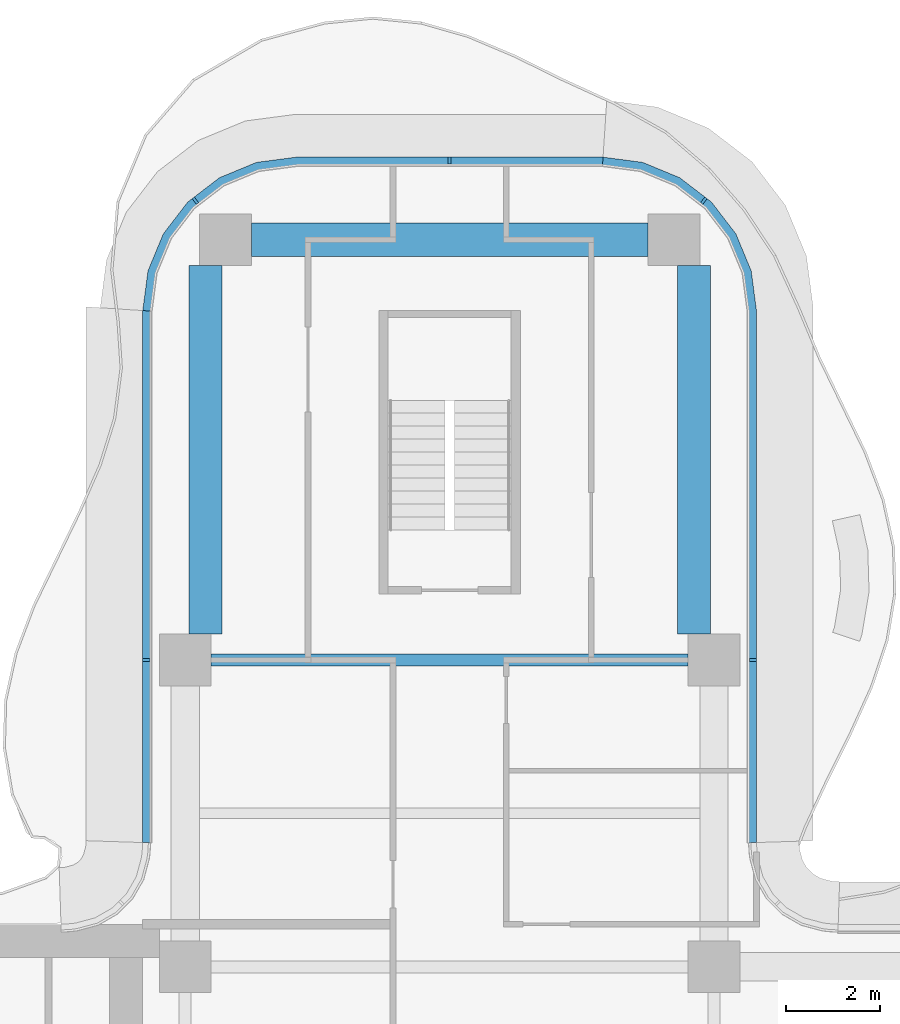
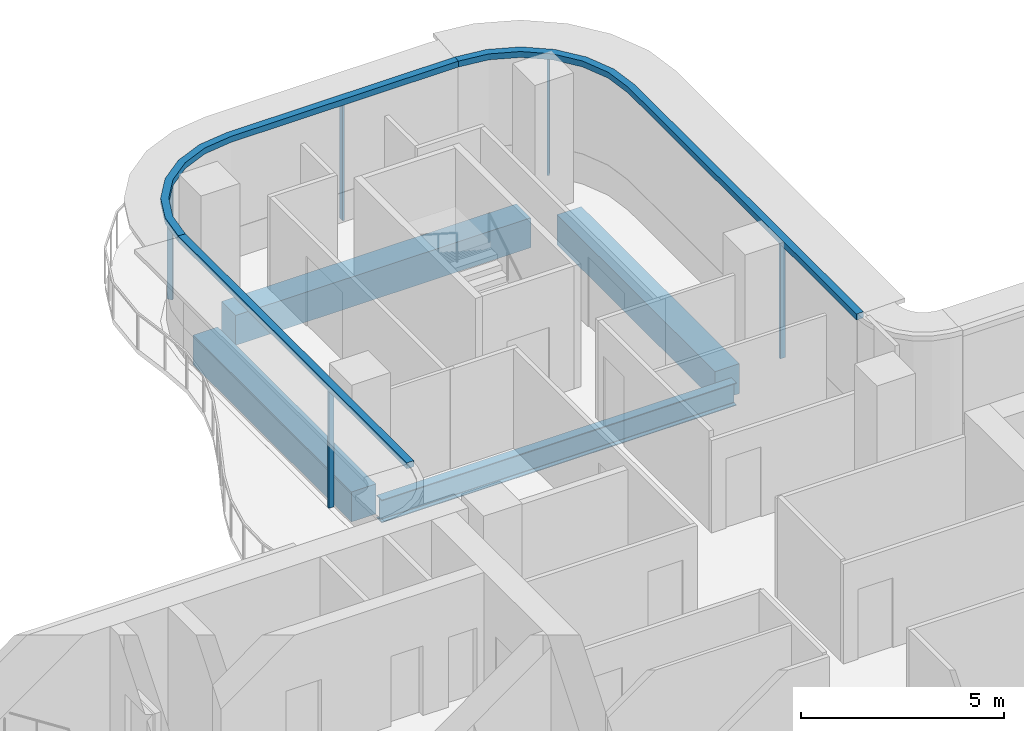
# One storey, part 7 of 16: 8 members, 4 beams, 3 elements without a shape of their own.
"""IFC4 building model written with IfcOpenShell, lengths in metres."""

from ifc_helpers import new_model, si_unit, direction, frame, origin, origin_2d, place, context, subcontext, project, spatial, polyline, rectangle, i_section, outline, extrude, source, transform, mapped, material, layer, layer_set, material_profile, profile_set, type_object, element, aggregate, save


model = new_model("IFC4")

# Units and contexts
model_context = context("Model", 3, precision=1e-05, world=origin(), true_north=direction((0.0, 1.0)))
body_context = subcontext(model_context, "Body", "Model", "MODEL_VIEW")
ifc_project = project(units=[si_unit("LENGTHUNIT", "METRE"), si_unit("AREAUNIT", "SQUARE_METRE"), si_unit("VOLUMEUNIT", "CUBIC_METRE"), si_unit("PLANEANGLEUNIT", "RADIAN"), si_unit("MASSUNIT", "GRAM", prefix="KILO")], contexts=[model_context])

# Site, building, storey
site_placement = place(None, origin())
site = spatial("IfcSite", under=ifc_project, at=site_placement, CompositionType="ELEMENT")
building_placement = place(site_placement, origin())
building = spatial("IfcBuilding", under=site, at=building_placement, Name="Trellis Farm Tower", CompositionType="ELEMENT")
storey_placement = place(building_placement, frame((0.0, 0.0, 251.89990234375)))
storey = spatial("IfcBuildingStorey", under=building, at=storey_placement, Name="L56", CompositionType="ELEMENT", Elevation=251.89990234375)

# Beams
ifc_material_1 = material(Name="Steel S355", Category="steel")
ifc_material_profile_1 = material_profile(ifc_material_1, i_section(OverallWidth=0.253662109375, OverallDepth=0.68359375, WebThickness=0.012451171875, FlangeThickness=0.021728515625, FilletRadius=0.01513671875, at=origin_2d()), Name="UB 686x254x140")
ifc_profile_set_1 = profile_set([ifc_material_profile_1], Name="Steel S355")
beam_type_1 = type_object("IfcBeamType", Name="UB 686x254x140", PredefinedType="BEAM", material=ifc_profile_set_1)
shared_shape_1 = source(origin(), body_context, "Body", "SweptSolid", [
    extrude(i_section(OverallWidth=0.253662109375, OverallDepth=0.68359375, WebThickness=0.012451171875, FlangeThickness=0.021728515625, FilletRadius=0.01513671875, at=origin_2d()), origin(), (0.0, 0.0, 1.0), 10.10009765625),
])
beam_1_placement = place(storey_placement, frame((-5.050048828125, 12.10009765625, -0.54150390625), z_axis=(1.0, 0.0, 0.0), x_axis=(0.0, 1.0, 0.0)))
element("IfcBeam", 1, at=beam_1_placement, inside=storey, type_object=beam_type_1, Name="Girder", PredefinedType="BEAM", context=body_context, shape_type="MappedRepresentation", body=[
    mapped(shared_shape_1, transform((0.0, 0.0, 0.0))),
])
ifc_material_2 = material(Name="Concrete C60/75", Category="concrete")
ifc_material_profile_2 = material_profile(ifc_material_2, rectangle(XDim=0.699951171875, YDim=0.89990234375, at=origin_2d()), Name="RC spandrel beam 700x900 C60/75")
ifc_profile_set_2 = profile_set([ifc_material_profile_2], Name="Concrete C60/75")
beam_type_2 = type_object("IfcBeamType", Name="RC spandrel beam 700x900 C60/75", PredefinedType="SPANDREL", material=ifc_profile_set_2)
shared_shape_2 = source(origin(), body_context, "Body", "SweptSolid", [
    extrude(rectangle(XDim=0.699951171875, YDim=0.89990234375, at=origin_2d()), origin(), (0.0, 0.0, 1.0), 8.39990234375),
])
beam_2_placement = place(storey_placement, frame((-4.199951171875, 21.0, -0.64990234375), z_axis=(1.0, 0.0, 0.0), x_axis=(0.0, 1.0, 0.0)))
element("IfcBeam", 2, at=beam_2_placement, inside=storey, type_object=beam_type_2, Name="Girder", PredefinedType="SPANDREL", context=body_context, shape_type="MappedRepresentation", body=[
    mapped(shared_shape_2, transform((0.0, 0.0, 0.0))),
])
shared_shape_3 = source(origin(), body_context, "Body", "SweptSolid", [
    extrude(rectangle(XDim=0.699951171875, YDim=0.89990234375, at=origin_2d()), origin(), (0.0, 0.0, 1.0), 7.800048828125),
])
for number, where, z_axis, x_axis, name in (
    (3, (-5.175048828125, 12.64990234375, -0.64990234375), (0.0, 1.0, 0.0), (-1.0, 0.0, 0.0), "Girder"),
    (4, (5.175048828125, 12.64990234375, -0.64990234375), (0.0, 1.0, 0.0), (-1.0, 0.0, 0.0), "Girder"),
):
    element("IfcBeam", number, at=place(storey_placement, frame(where, z_axis=z_axis, x_axis=x_axis)), inside=storey, type_object=beam_type_2, Name=name, PredefinedType="SPANDREL", context=body_context, shape_type="MappedRepresentation", body=[
        mapped(shared_shape_3, transform((0.0, 0.0, 0.0))),
    ])

# Curtain wall, members
ifc_material_3 = material(Name="Aluminium and glass curtain wall", Category="aluminium")
ifc_layer_1 = layer(ifc_material_3, 0.18994140625)
ifc_layer_set_1 = layer_set([ifc_layer_1], Name="RIBBON CURTAIN WALL CW1")
curtain_wall_type = type_object("IfcCurtainWallType", Name="RIBBON CURTAIN WALL CW1", PredefinedType="NOTDEFINED", material=ifc_layer_set_1)
placement_1 = place(storey_placement, origin())
curtain_wall_1 = element("IfcCurtainWall", 5, at=placement_1, inside=storey, type_object=curtain_wall_type, Name="CW1 009", PredefinedType="NOTDEFINED")
ifc_material_4 = material(Name="Aluminium extrusion 6063-T6", Category="aluminium")
ifc_material_profile_3 = material_profile(ifc_material_4, rectangle(XDim=0.06005859375, YDim=0.14990234375, at=origin_2d()), Name="MULLION 60x150")
ifc_profile_set_3 = profile_set([ifc_material_profile_3], Name="Aluminium extrusion 6063-T6")
member_type_1 = type_object("IfcMemberType", Name="CW1 MULLION 60x150", PredefinedType="MULLION", material=ifc_profile_set_3)
shared_shape_4 = source(origin(), body_context, "Body", "SweptSolid", [
    extrude(rectangle(XDim=0.06005859375, YDim=0.14990234375, at=origin_2d()), origin(), (0.0, 0.0, 1.0), 3.52001953125),
])
member_1_placement = place(storey_placement, frame((6.425048828125, 12.10009765625, 0.0), z_axis=(0.0, 0.0, 1.0), x_axis=(0.0, 1.0, 0.0)))
member_1 = element("IfcMember", 6, at=member_1_placement, type_object=member_type_1, Name="MU1 009-01", PredefinedType="MULLION", context=body_context, shape_type="MappedRepresentation", body=[
    mapped(shared_shape_4, transform((0.0, 0.0, 0.0))),
])
member_2_placement = place(storey_placement, frame((5.385498046875, 21.828369140625, 0.0), z_axis=(0.0, 0.0, 1.0), x_axis=(-0.793353340291, 0.608761429009, 0.0)))
member_2 = element("IfcMember", 7, at=member_2_placement, type_object=member_type_1, Name="MU1 009-02", PredefinedType="MULLION", context=body_context, shape_type="MappedRepresentation", body=[
    mapped(shared_shape_4, transform((0.0, 0.0, 0.0))),
])

curtain_wall_2 = element("IfcCurtainWall", 8, at=placement_1, inside=storey, type_object=curtain_wall_type, Name="CW1 010", PredefinedType="NOTDEFINED")
member_3_placement = place(storey_placement, frame((0.0, 22.675048828125, 0.0), z_axis=(0.0, 0.0, 1.0), x_axis=(-1.0, 0.0, 0.0)))
member_3 = element("IfcMember", 9, at=member_3_placement, type_object=member_type_1, Name="MU1 010-01", PredefinedType="MULLION", context=body_context, shape_type="MappedRepresentation", body=[
    mapped(shared_shape_4, transform((0.0, 0.0, 0.0))),
])
member_4_placement = place(storey_placement, frame((-5.385498046875, 21.828369140625, 0.0), z_axis=(0.0, 0.0, 1.0), x_axis=(-0.793353340291, -0.608761429009, 0.0)))
member_4 = element("IfcMember", 10, at=member_4_placement, type_object=member_type_1, Name="MU1 010-02", PredefinedType="MULLION", context=body_context, shape_type="MappedRepresentation", body=[
    mapped(shared_shape_4, transform((0.0, 0.0, 0.0))),
])

# Curtain wall, member
curtain_wall_3 = element("IfcCurtainWall", 11, at=placement_1, inside=storey, type_object=curtain_wall_type, Name="CW1 011", PredefinedType="NOTDEFINED")
member_5_placement = place(storey_placement, frame((-6.425048828125, 12.10009765625, 0.0), z_axis=(0.0, 0.0, 1.0), x_axis=(0.0, -1.0, 0.0)))
member_5 = element("IfcMember", 12, at=member_5_placement, type_object=member_type_1, Name="MU1 011-01", PredefinedType="MULLION", context=body_context, shape_type="MappedRepresentation", body=[
    mapped(shared_shape_4, transform((0.0, 0.0, 0.0))),
])

# Member
ifc_layer_2 = layer(ifc_material_4, 0.199951171875)
ifc_layer_set_2 = layer_set([ifc_layer_2], Name="Aluminium extrusion 6063-T6")
member_type_2 = type_object("IfcMemberType", Name="CW1 TRANSOM 200x180", PredefinedType="USERDEFINED", material=ifc_layer_set_2)
shared_shape_5 = source(origin(), body_context, "Body", "SweptSolid", [
    extrude(outline(polyline([(6.5, 8.2314453125), (6.5, 19.5), (6.38916015625, 20.341064453125), (6.064697265625, 21.125), (5.548095703125, 21.798095703125), (4.875, 22.314697265625), (4.091064453125, 22.63916015625), (3.25, 22.75), (3.23681640625, 22.550048828125), (4.0390625, 22.4443359375), (4.774169921875, 22.139892578125), (5.405517578125, 21.655517578125), (5.889892578125, 21.024169921875), (6.1943359375, 20.2890625), (6.300048828125, 19.48681640625), (6.300048828125, 8.224853515625), (6.5, 8.2314453125)])), origin(), (0.0, 0.0, 1.0), 0.18017578125),
])
placement_2 = place(storey_placement, frame((0.0, 0.0, 3.52001953125)))
member_6 = element("IfcMember", 13, at=placement_2, type_object=member_type_2, Name="TR1 009", ObjectType="TRANSOM", PredefinedType="USERDEFINED", context=body_context, shape_type="MappedRepresentation", body=[
    mapped(shared_shape_5, transform((0.0, 0.0, 0.0))),
])

aggregate(curtain_wall_1, [member_1, member_2, member_6])

shared_shape_6 = source(origin(), body_context, "Body", "SweptSolid", [
    extrude(outline(polyline([(-6.5, 19.5), (-6.5, 8.2314453125), (-6.300048828125, 8.224853515625), (-6.300048828125, 19.48681640625), (-6.5, 19.5)])), origin(), (0.0, 0.0, 1.0), 0.18017578125),
])
member_7 = element("IfcMember", 14, at=placement_2, type_object=member_type_2, Name="TR1 011", ObjectType="TRANSOM", PredefinedType="USERDEFINED", context=body_context, shape_type="MappedRepresentation", body=[
    mapped(shared_shape_6, transform((0.0, 0.0, 0.0))),
])

aggregate(curtain_wall_3, [member_5, member_7])

shared_shape_7 = source(origin(), body_context, "Body", "SweptSolid", [
    extrude(outline(polyline([(3.25, 22.75), (-3.25, 22.75), (-4.091064453125, 22.63916015625), (-4.875, 22.314697265625), (-5.548095703125, 21.798095703125), (-6.064697265625, 21.125), (-6.38916015625, 20.341064453125), (-6.5, 19.5), (-6.300048828125, 19.48681640625), (-6.1943359375, 20.2890625), (-5.889892578125, 21.024169921875), (-5.405517578125, 21.655517578125), (-4.774169921875, 22.139892578125), (-4.0390625, 22.4443359375), (-3.23681640625, 22.550048828125), (3.23681640625, 22.550048828125), (3.25, 22.75)])), origin(), (0.0, 0.0, 1.0), 0.18017578125),
])
member_8 = element("IfcMember", 15, at=placement_2, type_object=member_type_2, Name="TR1 010", ObjectType="TRANSOM", PredefinedType="USERDEFINED", context=body_context, shape_type="MappedRepresentation", body=[
    mapped(shared_shape_7, transform((0.0, 0.0, 0.0))),
])

aggregate(curtain_wall_2, [member_3, member_4, member_8])

save(model, "model.ifc")
